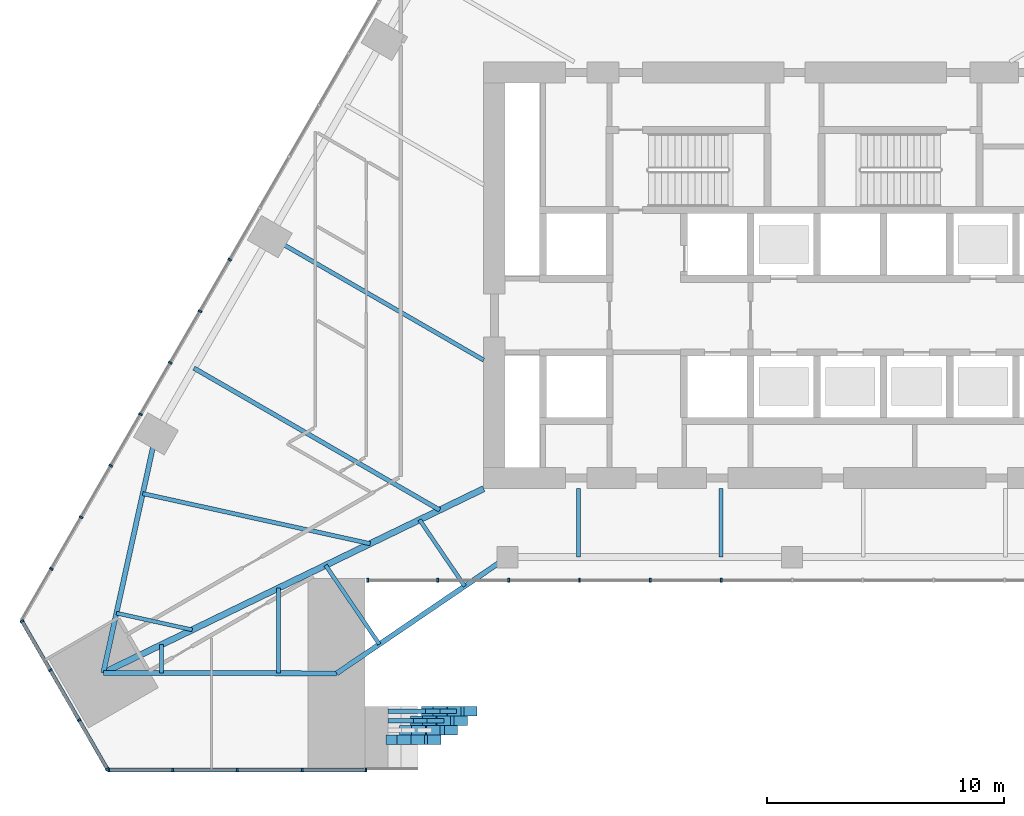
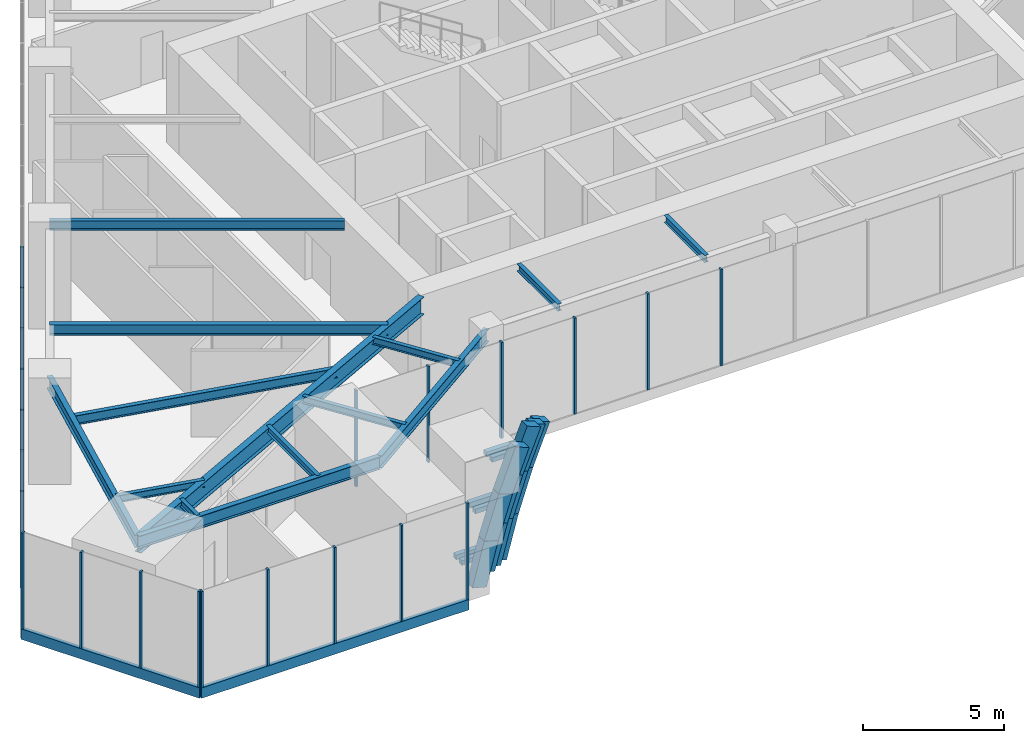
# One storey, part 3 of 29: 36 members, 20 beams, 4 elements without a shape of their own.
"""IFC4 building model written with IfcOpenShell, lengths in metres."""

from ifc_helpers import new_model, si_unit, direction, frame, origin, origin_2d, place, context, subcontext, project, spatial, rectangle, i_section, extrude, material, layer, layer_set, material_profile, profile_set, type_object, element, aggregate, save


model = new_model("IFC4")

# Units and contexts
model_context = context("Model", 3, precision=1e-05, world=origin(), true_north=direction((0.0, 1.0)))
body_context = subcontext(model_context, "Body", "Model", "MODEL_VIEW")
ifc_project = project(units=[si_unit("LENGTHUNIT", "METRE"), si_unit("AREAUNIT", "SQUARE_METRE"), si_unit("VOLUMEUNIT", "CUBIC_METRE"), si_unit("PLANEANGLEUNIT", "RADIAN"), si_unit("MASSUNIT", "GRAM", prefix="KILO")], contexts=[model_context])

# Site, building, storey
site_placement = place(None, origin())
site = spatial("IfcSite", under=ifc_project, at=site_placement, CompositionType="ELEMENT")
building_placement = place(site_placement, origin())
building = spatial("IfcBuilding", under=site, at=building_placement, Name="Firuza Gate Tower and Library", CompositionType="ELEMENT")
storey_placement = place(building_placement, frame((0.0, 0.0, 8.0)))
storey = spatial("IfcBuildingStorey", under=building, at=storey_placement, Name="L01", CompositionType="ELEMENT", Elevation=8.0)

# Members
ifc_material_1 = material(Name="Concrete C60/75", Category="concrete")
ifc_material_profile_1 = material_profile(ifc_material_1, rectangle(XDim=0.39990234375, YDim=0.60009765625, at=origin_2d()))
ifc_profile_set_1 = profile_set([ifc_material_profile_1], Name="Concrete C60/75")
member_type_1 = type_object("IfcMemberType", Name="Arch rib 600x400", PredefinedType="USERDEFINED", material=ifc_profile_set_1)
member_1_placement = place(storey_placement, frame((58.160888671875, 55.415283203125, -0.423583984375), z_axis=(0.25181823539, 0.0, 0.967774548294), x_axis=(0.0, 1.0, 0.0)))
element("IfcMember", 1, at=member_1_placement, inside=storey, type_object=member_type_1, Name="Arch rib 1.5", ObjectType="ARCH RIB", PredefinedType="USERDEFINED", context=body_context, shape_type="SweptSolid", body=[
    extrude(rectangle(XDim=0.39990234375, YDim=0.60009765625, at=origin_2d()), origin(), (0.0, 0.0, 1.0), 1.909912109375),
])
for number, where, z_axis, x_axis, name in (
    (2, (58.641845703125, 55.415283203125, 1.4248046875), (0.306240860809, 0.0, 0.951954061481), (0.0, 1.0, 0.0), "Arch rib 1.6"),
    (3, (59.226806640625, 55.415283203125, 3.2431640625), (0.359415851139, 0.0, 0.933177499702), (0.0, 1.0, 0.0), "Arch rib 1.7"),
):
    element("IfcMember", number, at=place(storey_placement, frame(where, z_axis=z_axis, x_axis=x_axis)), inside=storey, type_object=member_type_1, Name=name, ObjectType="ARCH RIB", PredefinedType="USERDEFINED", context=body_context, shape_type="SweptSolid", body=[
        extrude(rectangle(XDim=0.39990234375, YDim=0.60009765625, at=origin_2d()), origin(), (0.0, 0.0, 1.0), 1.91015625),
    ])
member_2_placement = place(storey_placement, frame((58.72998046875, 55.8154296875, -0.1748046875), z_axis=(0.262991856839, 0.0, 0.964798053085), x_axis=(0.0, 1.0, 0.0)))
element("IfcMember", 4, at=member_2_placement, inside=storey, type_object=member_type_1, Name="Arch rib 2.5", ObjectType="ARCH RIB", PredefinedType="USERDEFINED", context=body_context, shape_type="SweptSolid", body=[
    extrude(rectangle(XDim=0.39990234375, YDim=0.60009765625, at=origin_2d()), origin(), (0.0, 0.0, 1.0), 1.974609375),
])
member_3_placement = place(storey_placement, frame((59.249267578125, 55.8154296875, 1.730224609375), z_axis=(0.319638494477, 0.0, 0.947539567959), x_axis=(0.0, 1.0, 0.0)))
element("IfcMember", 5, at=member_3_placement, inside=storey, type_object=member_type_1, Name="Arch rib 2.6", ObjectType="ARCH RIB", PredefinedType="USERDEFINED", context=body_context, shape_type="SweptSolid", body=[
    extrude(rectangle(XDim=0.39990234375, YDim=0.60009765625, at=origin_2d()), origin(), (0.0, 0.0, 1.0), 1.974365234375),
])
member_4_placement = place(storey_placement, frame((59.88037109375, 55.8154296875, 3.60107421875), z_axis=(0.375076378227, 0.0, 0.926993910712), x_axis=(0.0, 1.0, 0.0)))
element("IfcMember", 6, at=member_4_placement, inside=storey, type_object=member_type_1, Name="Arch rib 2.7", ObjectType="ARCH RIB", PredefinedType="USERDEFINED", context=body_context, shape_type="SweptSolid", body=[
    extrude(rectangle(XDim=0.39990234375, YDim=0.60009765625, at=origin_2d()), origin(), (0.0, 0.0, 1.0), 1.97412109375),
])
for number, where, z_axis, x_axis, name in (
    (7, (59.201416015625, 56.21533203125, -0.338623046875), (0.2604762875, 0.0, 0.965480245085), (0.0, 1.0, 0.0), "Arch rib 3.5"),
    (8, (59.704833984375, 56.21533203125, 1.52734375), (0.316455149855, 0.0, 0.948607473158), (0.0, 1.0, 0.0), "Arch rib 3.6"),
):
    element("IfcMember", number, at=place(storey_placement, frame(where, z_axis=z_axis, x_axis=x_axis)), inside=storey, type_object=member_type_1, Name=name, ObjectType="ARCH RIB", PredefinedType="USERDEFINED", context=body_context, shape_type="SweptSolid", body=[
        extrude(rectangle(XDim=0.39990234375, YDim=0.60009765625, at=origin_2d()), origin(), (0.0, 0.0, 1.0), 1.9326171875),
    ])
member_5_placement = place(storey_placement, frame((60.31640625, 56.21533203125, 3.360595703125), z_axis=(0.371499568138, 0.0, 0.928433126764), x_axis=(0.0, 1.0, 0.0)))
element("IfcMember", 9, at=member_5_placement, inside=storey, type_object=member_type_1, Name="Arch rib 3.7", ObjectType="ARCH RIB", PredefinedType="USERDEFINED", context=body_context, shape_type="SweptSolid", body=[
    extrude(rectangle(XDim=0.39990234375, YDim=0.60009765625, at=origin_2d()), origin(), (0.0, 0.0, 1.0), 1.932861328125),
])
for number, where, z_axis, x_axis, name in (
    (10, (59.672607421875, 56.615478515625, -0.502197265625), (0.257815319019, 0.0, 0.966194215093), (0.0, 1.0, 0.0), "Arch rib 4.5"),
    (11, (60.16015625, 56.615478515625, 1.324951171875), (0.313321571992, 0.0, 0.94964708841), (0.0, 1.0, 0.0), "Arch rib 4.6"),
    (12, (60.752685546875, 56.615478515625, 3.120849609375), (0.36769264498, 0.0, 0.929947374225), (0.0, 1.0, 0.0), "Arch rib 4.7"),
):
    element("IfcMember", number, at=place(storey_placement, frame(where, z_axis=z_axis, x_axis=x_axis)), inside=storey, type_object=member_type_1, Name=name, ObjectType="ARCH RIB", PredefinedType="USERDEFINED", context=body_context, shape_type="SweptSolid", body=[
        extrude(rectangle(XDim=0.39990234375, YDim=0.60009765625, at=origin_2d()), origin(), (0.0, 0.0, 1.0), 1.89111328125),
    ])

# Beams
ifc_material_2 = material(Name="Concrete C60/75", Category="concrete")
ifc_material_profile_2 = material_profile(ifc_material_2, rectangle(XDim=0.199951171875, YDim=0.199951171875, at=origin_2d()))
ifc_profile_set_2 = profile_set([ifc_material_profile_2], Name="Concrete C60/75")
beam_type_1 = type_object("IfcBeamType", Name="Arch rib bracket 200x200", PredefinedType="BEAM", material=ifc_profile_set_2)
beam_1_placement = place(storey_placement, frame((57.962890625, 56.21533203125, 0.15283203125), z_axis=(1.0, 0.0, 0.0), x_axis=(0.0, 1.0, 0.0)))
element("IfcBeam", 13, at=beam_1_placement, inside=storey, type_object=beam_type_1, Name="Arch rib bracket 3.5", PredefinedType="BEAM", context=body_context, shape_type="SweptSolid", body=[
    extrude(rectangle(XDim=0.199951171875, YDim=0.199951171875, at=origin_2d()), origin(), (0.0, 0.0, 1.0), 1.0703125),
])
beam_2_placement = place(storey_placement, frame((58.5146484375, 56.21533203125, 2.18408203125), z_axis=(1.0, 0.0, 0.0), x_axis=(0.0, 1.0, 0.0)))
element("IfcBeam", 14, at=beam_2_placement, inside=storey, type_object=beam_type_1, Name="Arch rib bracket 3.6", PredefinedType="BEAM", context=body_context, shape_type="SweptSolid", body=[
    extrude(rectangle(XDim=0.199951171875, YDim=0.199951171875, at=origin_2d()), origin(), (0.0, 0.0, 1.0), 1.10302734375),
])
beam_3_placement = place(storey_placement, frame((59.201416015625, 56.21533203125, 4.173095703125), z_axis=(1.0, 0.0, 0.0), x_axis=(0.0, 1.0, 0.0)))
element("IfcBeam", 15, at=beam_3_placement, inside=storey, type_object=beam_type_1, Name="Arch rib bracket 3.7", PredefinedType="BEAM", context=body_context, shape_type="SweptSolid", body=[
    extrude(rectangle(XDim=0.199951171875, YDim=0.199951171875, at=origin_2d()), origin(), (0.0, 0.0, 1.0), 1.126953125),
])
beam_4_placement = place(storey_placement, frame((57.962890625, 56.615478515625, 0.15234375), z_axis=(1.0, 0.0, 0.0), x_axis=(0.0, 1.0, 0.0)))
element("IfcBeam", 16, at=beam_4_placement, inside=storey, type_object=beam_type_1, Name="Arch rib bracket 4.5", PredefinedType="BEAM", context=body_context, shape_type="SweptSolid", body=[
    extrude(rectangle(XDim=0.199951171875, YDim=0.199951171875, at=origin_2d()), origin(), (0.0, 0.0, 1.0), 1.583984375),
])
beam_5_placement = place(storey_placement, frame((58.5146484375, 56.615478515625, 2.222900390625), z_axis=(1.0, 0.0, 0.0), x_axis=(0.0, 1.0, 0.0)))
element("IfcBeam", 17, at=beam_5_placement, inside=storey, type_object=beam_type_1, Name="Arch rib bracket 4.6", PredefinedType="BEAM", context=body_context, shape_type="SweptSolid", body=[
    extrude(rectangle(XDim=0.199951171875, YDim=0.199951171875, at=origin_2d()), origin(), (0.0, 0.0, 1.0), 1.6357421875),
])
beam_6_placement = place(storey_placement, frame((59.201416015625, 56.615478515625, 4.166015625), z_axis=(1.0, 0.0, 0.0), x_axis=(0.0, 1.0, 0.0)))
element("IfcBeam", 18, at=beam_6_placement, inside=storey, type_object=beam_type_1, Name="Arch rib bracket 4.7", PredefinedType="BEAM", context=body_context, shape_type="SweptSolid", body=[
    extrude(rectangle(XDim=0.199951171875, YDim=0.199951171875, at=origin_2d()), origin(), (0.0, 0.0, 1.0), 1.65185546875),
])

# Curtain wall, members
ifc_material_3 = material(Name="Aluminium 6063-T6", Category="aluminium")
ifc_layer_1 = layer(ifc_material_3, 0.14990234375)
ifc_layer_set_1 = layer_set([ifc_layer_1], Name="Stick curtain wall, podium")
curtain_wall_type_1 = type_object("IfcCurtainWallType", Name="Stick curtain wall, podium", PredefinedType="NOTDEFINED", material=ifc_layer_set_1)
placement = place(storey_placement, origin())
curtain_wall_1 = element("IfcCurtainWall", 19, at=placement, inside=storey, type_object=curtain_wall_type_1, Name="CW5 L01 S", PredefinedType="NOTDEFINED")
ifc_material_4 = material(Name="Aluminium 6063-T6", Category="aluminium")
ifc_material_profile_3 = material_profile(ifc_material_4, rectangle(XDim=0.14990234375, YDim=0.080078125, at=origin_2d()))
ifc_profile_set_3 = profile_set([ifc_material_profile_3], Name="Aluminium 6063-T6")
member_type_2 = type_object("IfcMemberType", Name="Curtain wall mullion 80x150", PredefinedType="MULLION", material=ifc_profile_set_3)
member_6_placement = place(storey_placement, frame((46.19677734375, 54.140380859375, 0.14990234375), z_axis=(0.0, 0.0, 1.0), x_axis=(0.0, 1.0, 0.0)))
member_6 = element("IfcMember", 20, at=member_6_placement, type_object=member_type_2, Name="Mullion", PredefinedType="MULLION", context=body_context, shape_type="SweptSolid", body=[
    extrude(rectangle(XDim=0.14990234375, YDim=0.080078125, at=origin_2d()), origin(), (0.0, 0.0, 1.0), 4.150146484375),
])
member_7_placement = place(storey_placement, frame((48.88623046875, 54.140380859375, 0.14990234375), z_axis=(0.0, 0.0, 1.0), x_axis=(0.0, 1.0, 0.0)))
member_7 = element("IfcMember", 21, at=member_7_placement, type_object=member_type_2, Name="Mullion", PredefinedType="MULLION", context=body_context, shape_type="SweptSolid", body=[
    extrude(rectangle(XDim=0.14990234375, YDim=0.080078125, at=origin_2d()), origin(), (0.0, 0.0, 1.0), 4.150146484375),
])
member_8_placement = place(storey_placement, frame((51.615966796875, 54.140380859375, 0.14990234375), z_axis=(0.0, 0.0, 1.0), x_axis=(0.0, 1.0, 0.0)))
member_8 = element("IfcMember", 22, at=member_8_placement, type_object=member_type_2, Name="Mullion", PredefinedType="MULLION", context=body_context, shape_type="SweptSolid", body=[
    extrude(rectangle(XDim=0.14990234375, YDim=0.080078125, at=origin_2d()), origin(), (0.0, 0.0, 1.0), 4.150146484375),
])
member_9_placement = place(storey_placement, frame((54.345458984375, 54.140380859375, 0.14990234375), z_axis=(0.0, 0.0, 1.0), x_axis=(0.0, 1.0, 0.0)))
member_9 = element("IfcMember", 23, at=member_9_placement, type_object=member_type_2, Name="Mullion", PredefinedType="MULLION", context=body_context, shape_type="SweptSolid", body=[
    extrude(rectangle(XDim=0.14990234375, YDim=0.080078125, at=origin_2d()), origin(), (0.0, 0.0, 1.0), 4.150146484375),
])
member_10_placement = place(storey_placement, frame((57.034912109375, 54.140380859375, 0.14990234375), z_axis=(0.0, 0.0, 1.0), x_axis=(0.0, 1.0, 0.0)))
member_10 = element("IfcMember", 24, at=member_10_placement, type_object=member_type_2, Name="Mullion", PredefinedType="MULLION", context=body_context, shape_type="SweptSolid", body=[
    extrude(rectangle(XDim=0.14990234375, YDim=0.080078125, at=origin_2d()), origin(), (0.0, 0.0, 1.0), 4.150146484375),
])

ifc_material_5 = material(Name="Aluminium 6063-T6", Category="aluminium")
ifc_layer_2 = layer(ifc_material_5, 0.14990234375)
ifc_layer_set_2 = layer_set([ifc_layer_2], Name="Stick curtain wall, gate lobby")
curtain_wall_type_2 = type_object("IfcCurtainWallType", Name="Stick curtain wall, gate lobby", PredefinedType="NOTDEFINED", material=ifc_layer_set_2)
curtain_wall_2 = element("IfcCurtainWall", 25, at=placement, inside=storey, type_object=curtain_wall_type_2, Name="CW7 L01 gate lobby", PredefinedType="NOTDEFINED")
member_11_placement = place(storey_placement, frame((57.114990234375, 62.140380859375, 0.14990234375), z_axis=(0.0, 0.0, 1.0), x_axis=(0.0, 1.0, 0.0)))
member_11 = element("IfcMember", 26, at=member_11_placement, type_object=member_type_2, Name="Mullion", PredefinedType="MULLION", context=body_context, shape_type="SweptSolid", body=[
    extrude(rectangle(XDim=0.14990234375, YDim=0.080078125, at=origin_2d()), origin(), (0.0, 0.0, 1.0), 4.150146484375),
])
member_12_placement = place(storey_placement, frame((60.0625, 62.140380859375, 0.14990234375), z_axis=(0.0, 0.0, 1.0), x_axis=(0.0, 1.0, 0.0)))
member_12 = element("IfcMember", 27, at=member_12_placement, type_object=member_type_2, Name="Mullion", PredefinedType="MULLION", context=body_context, shape_type="SweptSolid", body=[
    extrude(rectangle(XDim=0.14990234375, YDim=0.080078125, at=origin_2d()), origin(), (0.0, 0.0, 1.0), 4.150146484375),
])
member_13_placement = place(storey_placement, frame((63.050048828125, 62.140380859375, 0.14990234375), z_axis=(0.0, 0.0, 1.0), x_axis=(0.0, 1.0, 0.0)))
member_13 = element("IfcMember", 28, at=member_13_placement, type_object=member_type_2, Name="Mullion", PredefinedType="MULLION", context=body_context, shape_type="SweptSolid", body=[
    extrude(rectangle(XDim=0.14990234375, YDim=0.080078125, at=origin_2d()), origin(), (0.0, 0.0, 1.0), 4.150146484375),
])
member_14_placement = place(storey_placement, frame((66.03759765625, 62.140380859375, 0.14990234375), z_axis=(0.0, 0.0, 1.0), x_axis=(0.0, 1.0, 0.0)))
member_14 = element("IfcMember", 29, at=member_14_placement, type_object=member_type_2, Name="Mullion", PredefinedType="MULLION", context=body_context, shape_type="SweptSolid", body=[
    extrude(rectangle(XDim=0.14990234375, YDim=0.080078125, at=origin_2d()), origin(), (0.0, 0.0, 1.0), 4.150146484375),
])
member_15_placement = place(storey_placement, frame((69.02490234375, 62.140380859375, 0.14990234375), z_axis=(0.0, 0.0, 1.0), x_axis=(0.0, 1.0, 0.0)))
member_15 = element("IfcMember", 30, at=member_15_placement, type_object=member_type_2, Name="Mullion", PredefinedType="MULLION", context=body_context, shape_type="SweptSolid", body=[
    extrude(rectangle(XDim=0.14990234375, YDim=0.080078125, at=origin_2d()), origin(), (0.0, 0.0, 1.0), 4.150146484375),
])
member_16_placement = place(storey_placement, frame((72.012451171875, 62.140380859375, 0.14990234375), z_axis=(0.0, 0.0, 1.0), x_axis=(0.0, 1.0, 0.0)))
member_16 = element("IfcMember", 31, at=member_16_placement, type_object=member_type_2, Name="Mullion", PredefinedType="MULLION", context=body_context, shape_type="SweptSolid", body=[
    extrude(rectangle(XDim=0.14990234375, YDim=0.080078125, at=origin_2d()), origin(), (0.0, 0.0, 1.0), 4.150146484375),
])
aggregate(curtain_wall_2, [member_11, member_12, member_13, member_14, member_15, member_16])

curtain_wall_3 = element("IfcCurtainWall", 32, at=placement, inside=storey, type_object=curtain_wall_type_1, Name="CW5 L01 W", PredefinedType="NOTDEFINED")
member_17_placement = place(storey_placement, frame((51.291748046875, 75.655517578125, 0.14990234375), z_axis=(0.0, 0.0, 1.0), x_axis=(0.866025403784, -0.5, 0.0)))
member_17 = element("IfcMember", 33, at=member_17_placement, type_object=member_type_2, Name="Mullion", PredefinedType="MULLION", context=body_context, shape_type="SweptSolid", body=[
    extrude(rectangle(XDim=0.14990234375, YDim=0.080078125, at=origin_2d()), origin(), (0.0, 0.0, 1.0), 4.150146484375),
])
member_18_placement = place(storey_placement, frame((50.037841796875, 73.4833984375, 0.14990234375), z_axis=(0.0, 0.0, 1.0), x_axis=(0.866025403784, -0.5, 0.0)))
member_18 = element("IfcMember", 34, at=member_18_placement, type_object=member_type_2, Name="Mullion", PredefinedType="MULLION", context=body_context, shape_type="SweptSolid", body=[
    extrude(rectangle(XDim=0.14990234375, YDim=0.080078125, at=origin_2d()), origin(), (0.0, 0.0, 1.0), 4.150146484375),
])
member_19_placement = place(storey_placement, frame((48.78369140625, 71.311279296875, 0.14990234375), z_axis=(0.0, 0.0, 1.0), x_axis=(0.866025403784, -0.5, 0.0)))
member_19 = element("IfcMember", 35, at=member_19_placement, type_object=member_type_2, Name="Mullion", PredefinedType="MULLION", context=body_context, shape_type="SweptSolid", body=[
    extrude(rectangle(XDim=0.14990234375, YDim=0.080078125, at=origin_2d()), origin(), (0.0, 0.0, 1.0), 4.150146484375),
])
member_20_placement = place(storey_placement, frame((47.529541015625, 69.13916015625, 0.14990234375), z_axis=(0.0, 0.0, 1.0), x_axis=(0.866025403784, -0.5, 0.0)))
member_20 = element("IfcMember", 36, at=member_20_placement, type_object=member_type_2, Name="Mullion", PredefinedType="MULLION", context=body_context, shape_type="SweptSolid", body=[
    extrude(rectangle(XDim=0.14990234375, YDim=0.080078125, at=origin_2d()), origin(), (0.0, 0.0, 1.0), 4.150146484375),
])
member_21_placement = place(storey_placement, frame((46.275634765625, 66.967041015625, 0.14990234375), z_axis=(0.0, 0.0, 1.0), x_axis=(0.866025403784, -0.5, 0.0)))
member_21 = element("IfcMember", 37, at=member_21_placement, type_object=member_type_2, Name="Mullion", PredefinedType="MULLION", context=body_context, shape_type="SweptSolid", body=[
    extrude(rectangle(XDim=0.14990234375, YDim=0.080078125, at=origin_2d()), origin(), (0.0, 0.0, 1.0), 4.150146484375),
])
member_22_placement = place(storey_placement, frame((45.021484375, 64.794921875, 0.14990234375), z_axis=(0.0, 0.0, 1.0), x_axis=(0.866025403784, -0.5, 0.0)))
member_22 = element("IfcMember", 38, at=member_22_placement, type_object=member_type_2, Name="Mullion", PredefinedType="MULLION", context=body_context, shape_type="SweptSolid", body=[
    extrude(rectangle(XDim=0.14990234375, YDim=0.080078125, at=origin_2d()), origin(), (0.0, 0.0, 1.0), 4.150146484375),
])
member_23_placement = place(storey_placement, frame((43.767333984375, 62.622802734375, 0.14990234375), z_axis=(0.0, 0.0, 1.0), x_axis=(0.866025403784, -0.5, 0.0)))
member_23 = element("IfcMember", 39, at=member_23_placement, type_object=member_type_2, Name="Mullion", PredefinedType="MULLION", context=body_context, shape_type="SweptSolid", body=[
    extrude(rectangle(XDim=0.14990234375, YDim=0.080078125, at=origin_2d()), origin(), (0.0, 0.0, 1.0), 4.150146484375),
])
aggregate(curtain_wall_3, [member_17, member_18, member_19, member_20, member_21, member_22, member_23])

curtain_wall_4 = element("IfcCurtainWall", 40, at=placement, inside=storey, type_object=curtain_wall_type_1, Name="CW5 L01 SW", PredefinedType="NOTDEFINED")
member_24_placement = place(storey_placement, frame((42.533447265625, 60.416015625, 0.14990234375), z_axis=(0.0, 0.0, 1.0), x_axis=(0.866025403784, 0.5, 0.0)))
member_24 = element("IfcMember", 41, at=member_24_placement, type_object=member_type_2, Name="Mullion", PredefinedType="MULLION", context=body_context, shape_type="SweptSolid", body=[
    extrude(rectangle(XDim=0.14990234375, YDim=0.080078125, at=origin_2d()), origin(), (0.0, 0.0, 1.0), 4.150146484375),
])
member_25_placement = place(storey_placement, frame((43.727783203125, 58.347412109375, 0.14990234375), z_axis=(0.0, 0.0, 1.0), x_axis=(0.866025403784, 0.5, 0.0)))
member_25 = element("IfcMember", 42, at=member_25_placement, type_object=member_type_2, Name="Mullion", PredefinedType="MULLION", context=body_context, shape_type="SweptSolid", body=[
    extrude(rectangle(XDim=0.14990234375, YDim=0.080078125, at=origin_2d()), origin(), (0.0, 0.0, 1.0), 4.150146484375),
])
member_26_placement = place(storey_placement, frame((44.9423828125, 56.243896484375, 0.14990234375), z_axis=(0.0, 0.0, 1.0), x_axis=(0.866025403784, 0.5, 0.0)))
member_26 = element("IfcMember", 43, at=member_26_placement, type_object=member_type_2, Name="Mullion", PredefinedType="MULLION", context=body_context, shape_type="SweptSolid", body=[
    extrude(rectangle(XDim=0.14990234375, YDim=0.080078125, at=origin_2d()), origin(), (0.0, 0.0, 1.0), 4.150146484375),
])
member_27_placement = place(storey_placement, frame((46.13671875, 54.175048828125, 0.14990234375), z_axis=(0.0, 0.0, 1.0), x_axis=(0.866025403784, 0.5, 0.0)))
member_27 = element("IfcMember", 44, at=member_27_placement, type_object=member_type_2, Name="Mullion", PredefinedType="MULLION", context=body_context, shape_type="SweptSolid", body=[
    extrude(rectangle(XDim=0.14990234375, YDim=0.080078125, at=origin_2d()), origin(), (0.0, 0.0, 1.0), 4.150146484375),
])

# Member
ifc_material_6 = material(Name="Aluminium 6063-T6", Category="aluminium")
ifc_material_profile_4 = material_profile(ifc_material_6, rectangle(XDim=0.14990234375, YDim=0.449951171875, at=origin_2d()))
ifc_profile_set_4 = profile_set([ifc_material_profile_4], Name="Aluminium 6063-T6")
member_type_3 = type_object("IfcMemberType", Name="Curtain wall transom 450x150", PredefinedType="USERDEFINED", material=ifc_profile_set_4)
member_28_placement = place(storey_placement, frame((46.15673828125, 54.140380859375, -0.074951171875), z_axis=(1.0, 0.0, 0.0), x_axis=(0.0, 1.0, 0.0)))
member_28 = element("IfcMember", 45, at=member_28_placement, type_object=member_type_3, Name="Transom", ObjectType="TRANSOM", PredefinedType="USERDEFINED", context=body_context, shape_type="SweptSolid", body=[
    extrude(rectangle(XDim=0.14990234375, YDim=0.449951171875, at=origin_2d()), origin(), (0.0, 0.0, 1.0), 10.918212890625),
])

aggregate(curtain_wall_1, [member_6, member_7, member_8, member_9, member_10, member_28])

member_29_placement = place(storey_placement, frame((42.513427734375, 60.45068359375, -0.074951171875), z_axis=(0.500005719219, -0.866022101766, 0.0), x_axis=(0.866022101766, 0.500005719219, 0.0)))
member_29 = element("IfcMember", 46, at=member_29_placement, type_object=member_type_3, Name="Transom", ObjectType="TRANSOM", PredefinedType="USERDEFINED", context=body_context, shape_type="SweptSolid", body=[
    extrude(rectangle(XDim=0.14990234375, YDim=0.449951171875, at=origin_2d()), origin(), (0.0, 0.0, 1.0), 7.28662109375),
])

aggregate(curtain_wall_4, [member_24, member_25, member_26, member_27, member_29])

# Beams
ifc_material_7 = material(Name="Steel S355", Category="steel")
ifc_material_profile_5 = material_profile(ifc_material_7, i_section(OverallWidth=0.1650390625, OverallDepth=0.31005859375, WebThickness=0.005859375, FlangeThickness=0.009765625, at=origin_2d()))
ifc_profile_set_5 = profile_set([ifc_material_profile_5], Name="Steel S355")
beam_type_2 = type_object("IfcBeamType", Name="W310x39 Floor beam", PredefinedType="JOIST", material=ifc_profile_set_5)
beam_7_placement = place(storey_placement, frame((46.513916015625, 60.75341796875, 4.14501953125), z_axis=(0.976601243751, -0.215058156564, 0.0), x_axis=(0.215058156564, 0.976601243751, 0.0)))
element("IfcBeam", 47, at=beam_7_placement, inside=storey, type_object=beam_type_2, Name="Floor beam L01 s01", PredefinedType="JOIST", context=body_context, shape_type="SweptSolid", body=[
    extrude(i_section(OverallWidth=0.1650390625, OverallDepth=0.31005859375, WebThickness=0.005859375, FlangeThickness=0.009765625, at=origin_2d()), origin(), (0.0, 0.0, 1.0), 3.27294921875),
])
beam_8_placement = place(storey_placement, frame((48.419189453125, 58.228759765625, 4.14501953125), z_axis=(0.00183635683, 0.999998313895, 0.0), x_axis=(-0.999998313895, 0.00183635683, 0.0)))
element("IfcBeam", 48, at=beam_8_placement, inside=storey, type_object=beam_type_2, Name="Floor beam L01 s10", PredefinedType="JOIST", context=body_context, shape_type="SweptSolid", body=[
    extrude(i_section(OverallWidth=0.1650390625, OverallDepth=0.31005859375, WebThickness=0.005859375, FlangeThickness=0.009765625, at=origin_2d()), origin(), (0.0, 0.0, 1.0), 1.196533203125),
])
beam_9_placement = place(storey_placement, frame((53.339599609375, 58.2197265625, 4.14501953125), z_axis=(0.001836107072, 0.999998314354, 0.0), x_axis=(-0.999998314354, 0.001836107072, 0.0)))
element("IfcBeam", 49, at=beam_9_placement, inside=storey, type_object=beam_type_2, Name="Floor beam L01 s11", PredefinedType="JOIST", context=body_context, shape_type="SweptSolid", body=[
    extrude(i_section(OverallWidth=0.1650390625, OverallDepth=0.31005859375, WebThickness=0.005859375, FlangeThickness=0.009765625, at=origin_2d()), origin(), (0.0, 0.0, 1.0), 3.590087890625),
])
beam_10_placement = place(storey_placement, frame((57.60009765625, 59.4404296875, 4.14501953125), z_axis=(-0.562657973934, 0.826689787265, 0.0), x_axis=(-0.826689787265, -0.562657973934, 0.0)))
element("IfcBeam", 50, at=beam_10_placement, inside=storey, type_object=beam_type_2, Name="Floor beam L01 s20", PredefinedType="JOIST", context=body_context, shape_type="SweptSolid", body=[
    extrude(i_section(OverallWidth=0.1650390625, OverallDepth=0.31005859375, WebThickness=0.005859375, FlangeThickness=0.009765625, at=origin_2d()), origin(), (0.0, 0.0, 1.0), 4.02978515625),
])
beam_11_placement = place(storey_placement, frame((61.199951171875, 61.890380859375, 4.14501953125), z_axis=(-0.562593933168, 0.826733370781, 0.0), x_axis=(-0.826733370781, -0.562593933168, 0.0)))
element("IfcBeam", 51, at=beam_11_placement, inside=storey, type_object=beam_type_2, Name="Floor beam L01 s21", PredefinedType="JOIST", context=body_context, shape_type="SweptSolid", body=[
    extrude(i_section(OverallWidth=0.1650390625, OverallDepth=0.31005859375, WebThickness=0.005859375, FlangeThickness=0.009765625, at=origin_2d()), origin(), (0.0, 0.0, 1.0), 3.386474609375),
])
for number, where, z_axis, x_axis, name in (
    (52, (66.0, 63.115478515625, 4.14501953125), (0.0, 1.0, 0.0), (-1.0, 0.0, 0.0), "Floor beam L01 s30"),
    (53, (72.0, 63.115478515625, 4.14501953125), (0.0, 1.0, 0.0), (-1.0, 0.0, 0.0), "Floor beam L01 s31"),
):
    element("IfcBeam", number, at=place(storey_placement, frame(where, z_axis=z_axis, x_axis=x_axis)), inside=storey, type_object=beam_type_2, Name=name, PredefinedType="JOIST", context=body_context, shape_type="SweptSolid", body=[
        extrude(i_section(OverallWidth=0.1650390625, OverallDepth=0.31005859375, WebThickness=0.005859375, FlangeThickness=0.009765625, at=origin_2d()), origin(), (0.0, 0.0, 1.0), 2.884521484375),
    ])
ifc_material_8 = material(Name="Steel S355", Category="steel")
ifc_material_profile_6 = material_profile(ifc_material_8, i_section(OverallWidth=0.177978515625, OverallDepth=0.406982421875, WebThickness=0.0078125, FlangeThickness=0.0126953125, at=origin_2d()))
ifc_profile_set_6 = profile_set([ifc_material_profile_6], Name="Steel S355")
beam_type_3 = type_object("IfcBeamType", Name="W410x60 Floor beam", PredefinedType="JOIST", material=ifc_profile_set_6)
beam_12_placement = place(storey_placement, frame((47.624267578125, 65.794189453125, 4.096435546875), z_axis=(0.97658964753, -0.215110809441, 0.0), x_axis=(0.215110809441, 0.97658964753, 0.0)))
element("IfcBeam", 54, at=beam_12_placement, inside=storey, type_object=beam_type_3, Name="Floor beam L01 s00", PredefinedType="JOIST", context=body_context, shape_type="SweptSolid", body=[
    extrude(i_section(OverallWidth=0.177978515625, OverallDepth=0.406982421875, WebThickness=0.0078125, FlangeThickness=0.0126953125, at=origin_2d()), origin(), (0.0, 0.0, 1.0), 9.818359375),
])
beam_13_placement = place(storey_placement, frame((52.9794921875, 76.62841796875, 4.096435546875), z_axis=(0.866024771944, -0.500001094379, 0.0), x_axis=(0.500001094379, 0.866024771944, 0.0)))
element("IfcBeam", 55, at=beam_13_placement, inside=storey, type_object=beam_type_3, Name="Floor beam L01 s104", PredefinedType="JOIST", context=body_context, shape_type="SweptSolid", body=[
    extrude(i_section(OverallWidth=0.177978515625, OverallDepth=0.406982421875, WebThickness=0.0078125, FlangeThickness=0.0126953125, at=origin_2d()), origin(), (0.0, 0.0, 1.0), 10.416015625),
])
ifc_material_9 = material(Name="Steel S355", Category="steel")
ifc_material_profile_7 = material_profile(ifc_material_9, i_section(OverallWidth=0.18994140625, OverallDepth=0.45703125, WebThickness=0.009033203125, FlangeThickness=0.014404296875, at=origin_2d()))
ifc_profile_set_7 = profile_set([ifc_material_profile_7], Name="Steel S355")
beam_type_4 = type_object("IfcBeamType", Name="W460x74 Floor beam", PredefinedType="JOIST", material=ifc_profile_set_7)
beam_14_placement = place(storey_placement, frame((49.779541015625, 71.0859375, 4.071533203125), z_axis=(0.866020154196, -0.500009092443, 0.0), x_axis=(0.500009092443, 0.866020154196, 0.0)))
element("IfcBeam", 56, at=beam_14_placement, inside=storey, type_object=beam_type_4, Name="Floor beam L01 s105", PredefinedType="JOIST", context=body_context, shape_type="SweptSolid", body=[
    extrude(i_section(OverallWidth=0.18994140625, OverallDepth=0.45703125, WebThickness=0.009033203125, FlangeThickness=0.014404296875, at=origin_2d()), origin(), (0.0, 0.0, 1.0), 11.968505859375),
])
ifc_material_10 = material(Name="Steel S355", Category="steel")
ifc_material_profile_8 = material_profile(ifc_material_10, i_section(OverallWidth=0.212890625, OverallDepth=0.5390625, WebThickness=0.01171875, FlangeThickness=0.018798828125, at=origin_2d()))
ifc_profile_set_8 = profile_set([ifc_material_profile_8], Name="Steel S355")
beam_type_5 = type_object("IfcBeamType", Name="W530x109 Edge beam", PredefinedType="SPANDREL", material=ifc_profile_set_8)
beam_15_placement = place(storey_placement, frame((48.179443359375, 68.314697265625, 4.030517578125), z_axis=(-0.215117130091, -0.976588255275, 0.0), x_axis=(0.976588255275, -0.215117130091, 0.0)))
element("IfcBeam", 57, at=beam_15_placement, inside=storey, type_object=beam_type_5, Name="Edge beam L01 e00", PredefinedType="SPANDREL", context=body_context, shape_type="SweptSolid", body=[
    extrude(i_section(OverallWidth=0.212890625, OverallDepth=0.5390625, WebThickness=0.01171875, FlangeThickness=0.018798828125, at=origin_2d()), origin(), (0.0, 0.0, 1.0), 10.3232421875),
])
beam_16_placement = place(storey_placement, frame((45.958740234375, 58.233154296875, 4.030517578125), z_axis=(0.999998360207, -0.001810962051, 0.0), x_axis=(0.001810962051, 0.999998360207, 0.0)))
element("IfcBeam", 58, at=beam_16_placement, inside=storey, type_object=beam_type_5, Name="Edge beam L01 e10", PredefinedType="SPANDREL", context=body_context, shape_type="SweptSolid", body=[
    extrude(i_section(OverallWidth=0.212890625, OverallDepth=0.5390625, WebThickness=0.01171875, FlangeThickness=0.018798828125, at=origin_2d()), origin(), (0.0, 0.0, 1.0), 9.84130859375),
])
beam_17_placement = place(storey_placement, frame((55.800048828125, 58.21533203125, 4.030517578125), z_axis=(0.826703281934, 0.562638146272, 0.0), x_axis=(-0.562638146272, 0.826703281934, 0.0)))
element("IfcBeam", 59, at=beam_17_placement, inside=storey, type_object=beam_type_5, Name="Edge beam L01 e20", PredefinedType="SPANDREL", context=body_context, shape_type="SweptSolid", body=[
    extrude(i_section(OverallWidth=0.212890625, OverallDepth=0.5390625, WebThickness=0.01171875, FlangeThickness=0.018798828125, at=origin_2d()), origin(), (0.0, 0.0, 1.0), 8.709228515625),
])
ifc_material_11 = material(Name="Steel S355", Category="steel")
ifc_material_profile_9 = material_profile(ifc_material_11, i_section(OverallWidth=0.264892578125, OverallDepth=0.7529296875, WebThickness=0.01318359375, FlangeThickness=0.01708984375, at=origin_2d()))
ifc_profile_set_9 = profile_set([ifc_material_profile_9], Name="Steel S355")
beam_type_6 = type_object("IfcBeamType", Name="W760x147 Girder", PredefinedType="BEAM", material=ifc_profile_set_9)
beam_18_placement = place(storey_placement, frame((45.958740234375, 58.233154296875, 3.923583984375), z_axis=(0.900050421894, 0.43578577082, 0.0), x_axis=(-0.43578577082, 0.900050421894, 0.0)))
element("IfcBeam", 60, at=beam_18_placement, inside=storey, type_object=beam_type_6, Name="Girder L01 gSW", PredefinedType="BEAM", context=body_context, shape_type="SweptSolid", body=[
    extrude(i_section(OverallWidth=0.264892578125, OverallDepth=0.7529296875, WebThickness=0.01318359375, FlangeThickness=0.01708984375, at=origin_2d()), origin(), (0.0, 0.0, 1.0), 17.822509765625),
])

save(model, "model.ifc")
